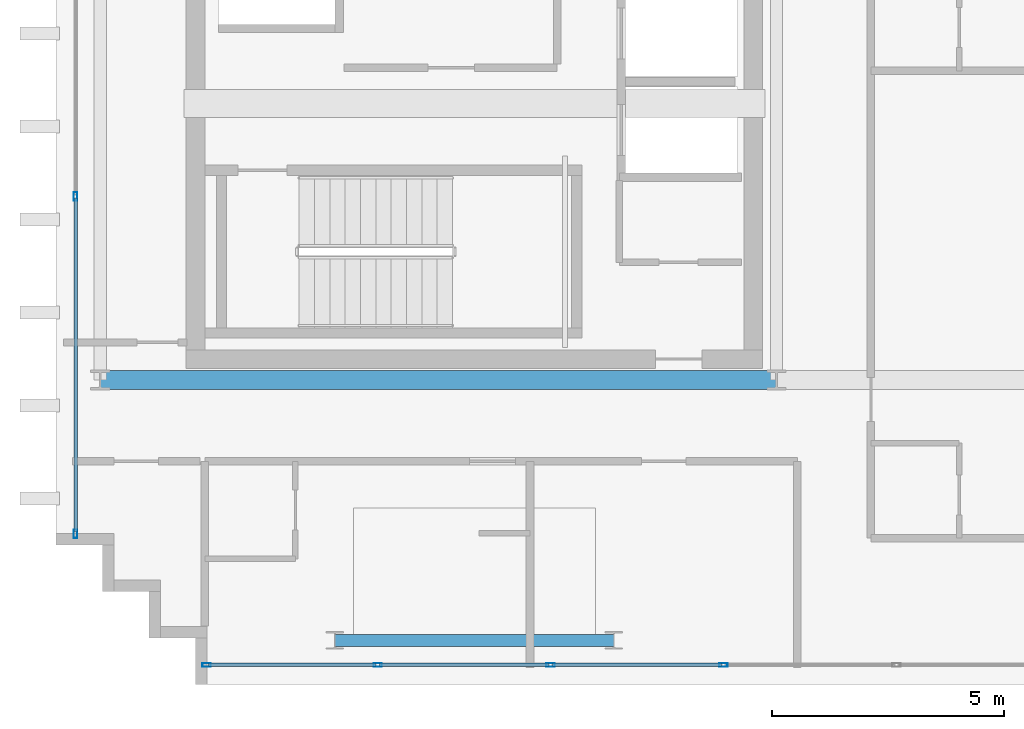
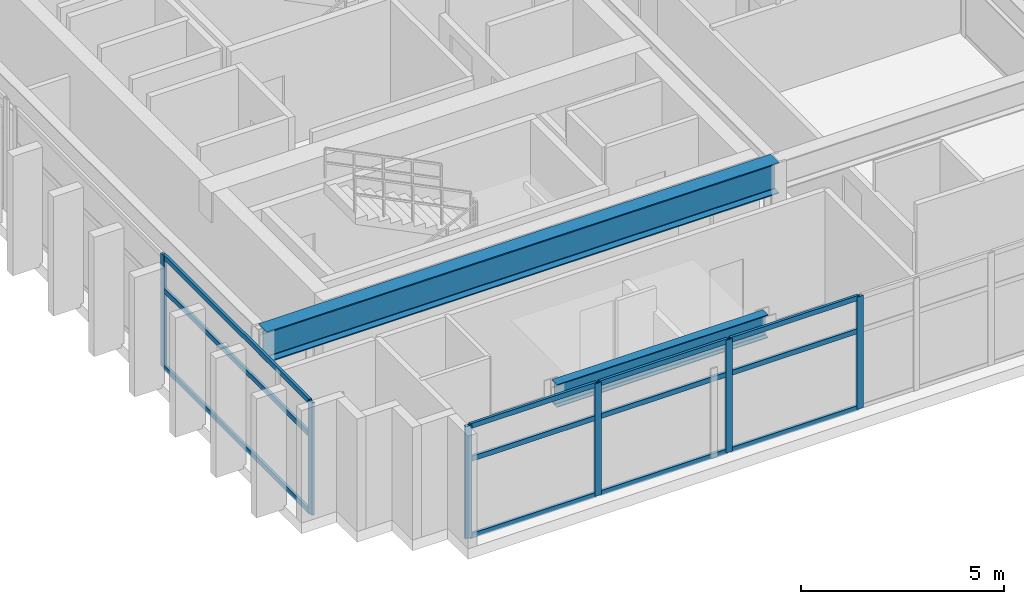
# One storey, part 3 of 17: 18 members, 2 beams, 2 elements without a shape of their own.
"""IFC4 building model written with IfcOpenShell, lengths in metres."""

from ifc_helpers import new_model, si_unit, direction, frame, origin, origin_2d, place, context, subcontext, project, spatial, hollow_rectangle, i_section, extrude, source, transform, mapped, material, layer, layer_set, material_profile, profile_set, type_object, element, aggregate, save


model = new_model("IFC4")

# Units and contexts
model_context = context("Model", 3, precision=1e-05, world=origin(), true_north=direction((0.0, 1.0)))
body_context = subcontext(model_context, "Body", "Model", "MODEL_VIEW")
ifc_project = project(units=[si_unit("LENGTHUNIT", "METRE"), si_unit("AREAUNIT", "SQUARE_METRE"), si_unit("VOLUMEUNIT", "CUBIC_METRE"), si_unit("PLANEANGLEUNIT", "RADIAN"), si_unit("MASSUNIT", "GRAM", prefix="KILO")], contexts=[model_context])

# Site, building, storey
site_placement = place(None, origin())
site = spatial("IfcSite", under=ifc_project, at=site_placement, CompositionType="ELEMENT")
building_placement = place(site_placement, origin())
building = spatial("IfcBuilding", under=site, at=building_placement, Name="Ocotamira Hotel", CompositionType="ELEMENT")
storey_placement = place(building_placement, frame((0.0, 0.0, 272.39990234375)))
storey = spatial("IfcBuildingStorey", under=building, at=storey_placement, Name="L69", CompositionType="ELEMENT", Elevation=272.39990234375)

# Beams
ifc_material_1 = material(Name="Steel ASTM A992 Grade 50", Category="steel")
ifc_material_profile_1 = material_profile(ifc_material_1, i_section(OverallWidth=0.41796875, OverallDepth=0.927001953125, WebThickness=0.019287109375, FlangeThickness=0.031982421875, FilletRadius=0.02392578125, at=origin_2d()), Name="W36X231")
ifc_profile_set_1 = profile_set([ifc_material_profile_1], Name="Steel ASTM A992 Grade 50")
beam_type_1 = type_object("IfcBeamType", Name="BM-GIRD-W36X231", PredefinedType="BEAM", material=ifc_profile_set_1)
shared_shape_1 = source(origin(), body_context, "Body", "SweptSolid", [
    extrude(i_section(OverallWidth=0.41796875, OverallDepth=0.927001953125, WebThickness=0.019287109375, FlangeThickness=0.031982421875, FilletRadius=0.02392578125, at=origin_2d()), origin(), (0.0, 0.0, 1.0), 14.550048828125),
])
beam_1_placement = place(storey_placement, frame((8.949951171875, 14.550048828125, 2.91650390625), z_axis=(1.0, 0.0, 0.0), x_axis=(0.0, 1.0, 0.0)))
element("IfcBeam", 1, at=beam_1_placement, inside=storey, type_object=beam_type_1, Name="L69 Girder Y14.55 X8.95-23.5", PredefinedType="BEAM", context=body_context, shape_type="MappedRepresentation", body=[
    mapped(shared_shape_1, transform((0.0, 0.0, 0.0), scale=1.0)),
])
ifc_material_profile_2 = material_profile(ifc_material_1, i_section(OverallWidth=0.256103515625, OverallDepth=0.693115234375, WebThickness=0.014404296875, FlangeThickness=0.023681640625, FilletRadius=0.01611328125, at=origin_2d()), Name="W27X114")
ifc_profile_set_2 = profile_set([ifc_material_profile_2], Name="Steel ASTM A992 Grade 50")
beam_type_2 = type_object("IfcBeamType", Name="BM-PRIM-W27X114", PredefinedType="BEAM", material=ifc_profile_set_2)
shared_shape_2 = source(origin(), body_context, "Body", "SweptSolid", [
    extrude(i_section(OverallWidth=0.256103515625, OverallDepth=0.693115234375, WebThickness=0.014404296875, FlangeThickness=0.023681640625, FilletRadius=0.01611328125, at=origin_2d()), origin(), (0.0, 0.0, 1.0), 6.0),
])
beam_2_placement = place(storey_placement, frame((14.0, 8.949951171875, 3.03369140625), z_axis=(1.0, 0.0, 0.0), x_axis=(0.0, 1.0, 0.0)))
element("IfcBeam", 2, at=beam_2_placement, inside=storey, type_object=beam_type_2, Name="L69 Girder Y8.95 X14-20", PredefinedType="BEAM", context=body_context, shape_type="MappedRepresentation", body=[
    mapped(shared_shape_2, transform((0.0, 0.0, 0.0), scale=1.0)),
])

# Curtain wall, members
ifc_material_2 = material(Name="Anodised pale-metal aluminium and solar glass", Category="aluminium")
ifc_layer = layer(ifc_material_2, 0.2099609375)
ifc_layer_set = layer_set([ifc_layer], Name="Anodised pale-metal aluminium and solar glass")
curtain_wall_type = type_object("IfcCurtainWallType", Name="CW-SYS7-PEAK", PredefinedType="NOTDEFINED", material=ifc_layer_set)
curtain_wall_1_placement = place(storey_placement, origin())
curtain_wall_1 = element("IfcCurtainWall", 3, at=curtain_wall_1_placement, inside=storey, type_object=curtain_wall_type, Name="L69 Curtain Wall CW-7 CW-L69-S1", PredefinedType="NOTDEFINED")
ifc_material_3 = material(Name="Anodised pale-metal aluminium 6063-T6", Category="aluminium")
ifc_material_profile_3 = material_profile(ifc_material_3, hollow_rectangle(XDim=0.080078125, YDim=0.179931640625, WallThickness=0.006103515625, at=origin_2d()), Name="HSS180X80X6")
ifc_profile_set_3 = profile_set([ifc_material_profile_3], Name="Anodised pale-metal aluminium 6063-T6")
member_type_1 = type_object("IfcMemberType", Name="CWM-180X75", PredefinedType="MULLION", material=ifc_profile_set_3)
shared_shape_3 = source(origin(), body_context, "Body", "SweptSolid", [
    extrude(hollow_rectangle(XDim=0.080078125, YDim=0.179931640625, WallThickness=0.006103515625, at=origin_2d()), origin(), (0.0, 0.0, 1.0), 3.380126953125),
])
member_1_placement = place(storey_placement, frame((11.239990234375, 8.419921875, 0.0), z_axis=(0.0, 0.0, 1.0), x_axis=(0.0, 1.0, 0.0)))
member_1 = element("IfcMember", 4, at=member_1_placement, type_object=member_type_1, Name="CW-7 mullion 1", PredefinedType="MULLION", context=body_context, shape_type="MappedRepresentation", body=[
    mapped(shared_shape_3, transform((0.0, 0.0, 0.0), scale=1.0)),
])
member_2_placement = place(storey_placement, frame((14.919921875, 8.419921875, 0.0), z_axis=(0.0, 0.0, 1.0), x_axis=(0.0, 1.0, 0.0)))
member_2 = element("IfcMember", 5, at=member_2_placement, type_object=member_type_1, Name="CW-7 mullion 2", PredefinedType="MULLION", context=body_context, shape_type="MappedRepresentation", body=[
    mapped(shared_shape_3, transform((0.0, 0.0, 0.0), scale=1.0)),
])
member_3_placement = place(storey_placement, frame((18.639892578125, 8.419921875, 0.0), z_axis=(0.0, 0.0, 1.0), x_axis=(0.0, 1.0, 0.0)))
member_3 = element("IfcMember", 6, at=member_3_placement, type_object=member_type_1, Name="CW-7 mullion 3", PredefinedType="MULLION", context=body_context, shape_type="MappedRepresentation", body=[
    mapped(shared_shape_3, transform((0.0, 0.0, 0.0), scale=1.0)),
])
member_4_placement = place(storey_placement, frame((22.360107421875, 8.419921875, 0.0), z_axis=(0.0, 0.0, 1.0), x_axis=(0.0, 1.0, 0.0)))
member_4 = element("IfcMember", 7, at=member_4_placement, type_object=member_type_1, Name="CW-7 mullion 4", PredefinedType="MULLION", context=body_context, shape_type="MappedRepresentation", body=[
    mapped(shared_shape_3, transform((0.0, 0.0, 0.0), scale=1.0)),
])

curtain_wall_2_placement = place(storey_placement, origin())
curtain_wall_2 = element("IfcCurtainWall", 8, at=curtain_wall_2_placement, inside=storey, type_object=curtain_wall_type, Name="L69 Curtain Wall CW-7 CW-L69-W1", PredefinedType="NOTDEFINED")
member_5_placement = place(storey_placement, frame((8.419921875, 11.239990234375, 0.0), z_axis=(0.0, 0.0, 1.0), x_axis=(-1.0, 0.0, 0.0)))
member_5 = element("IfcMember", 9, at=member_5_placement, type_object=member_type_1, Name="CW-7 mullion 1", PredefinedType="MULLION", context=body_context, shape_type="MappedRepresentation", body=[
    mapped(shared_shape_3, transform((0.0, 0.0, 0.0), scale=1.0)),
])
member_6_placement = place(storey_placement, frame((8.419921875, 18.5, 0.0), z_axis=(0.0, 0.0, 1.0), x_axis=(-1.0, 0.0, 0.0)))
member_6 = element("IfcMember", 10, at=member_6_placement, type_object=member_type_1, Name="CW-7 mullion 2", PredefinedType="MULLION", context=body_context, shape_type="MappedRepresentation", body=[
    mapped(shared_shape_3, transform((0.0, 0.0, 0.0), scale=1.0)),
])
ifc_material_profile_4 = material_profile(ifc_material_3, hollow_rectangle(XDim=0.074951171875, YDim=0.14990234375, WallThickness=0.006103515625, at=origin_2d()), Name="HSS150X75X6")
ifc_profile_set_4 = profile_set([ifc_material_profile_4], Name="Anodised pale-metal aluminium 6063-T6")
member_type_2 = type_object("IfcMemberType", Name="CWT-150X75", PredefinedType="USERDEFINED", material=ifc_profile_set_4)
shared_shape_4 = source(origin(), body_context, "Body", "SweptSolid", [
    extrude(hollow_rectangle(XDim=0.074951171875, YDim=0.14990234375, WallThickness=0.006103515625, at=origin_2d()), origin(), (0.0, 0.0, 1.0), 7.179931640625),
])
member_7_placement = place(storey_placement, frame((8.419921875, 11.280029296875, 0.03759765625), z_axis=(0.0, 1.0, 0.0), x_axis=(-1.0, 0.0, 0.0)))
member_7 = element("IfcMember", 11, at=member_7_placement, type_object=member_type_2, Name="CW-7 transom 1.1", ObjectType="TRANSOM", PredefinedType="USERDEFINED", context=body_context, shape_type="MappedRepresentation", body=[
    mapped(shared_shape_4, transform((0.0, 0.0, 0.0), scale=1.0)),
])
member_8_placement = place(storey_placement, frame((8.419921875, 11.280029296875, 2.35009765625), z_axis=(0.0, 1.0, 0.0), x_axis=(-1.0, 0.0, 0.0)))
member_8 = element("IfcMember", 12, at=member_8_placement, type_object=member_type_2, Name="CW-7 transom 1.2", ObjectType="TRANSOM", PredefinedType="USERDEFINED", context=body_context, shape_type="MappedRepresentation", body=[
    mapped(shared_shape_4, transform((0.0, 0.0, 0.0), scale=1.0)),
])
member_9_placement = place(storey_placement, frame((8.419921875, 11.280029296875, 3.342529296875), z_axis=(0.0, 1.0, 0.0), x_axis=(-1.0, 0.0, 0.0)))
member_9 = element("IfcMember", 13, at=member_9_placement, type_object=member_type_2, Name="CW-7 transom 1.3", ObjectType="TRANSOM", PredefinedType="USERDEFINED", context=body_context, shape_type="MappedRepresentation", body=[
    mapped(shared_shape_4, transform((0.0, 0.0, 0.0), scale=1.0)),
])
aggregate(curtain_wall_2, [member_5, member_6, member_7, member_8, member_9])

# Member
shared_shape_5 = source(origin(), body_context, "Body", "SweptSolid", [
    extrude(hollow_rectangle(XDim=0.074951171875, YDim=0.14990234375, WallThickness=0.006103515625, at=origin_2d()), origin(), (0.0, 0.0, 1.0), 3.599853515625),
])
member_10_placement = place(storey_placement, frame((11.280029296875, 8.419921875, 0.03759765625), z_axis=(1.0, 0.0, 0.0), x_axis=(0.0, 1.0, 0.0)))
member_10 = element("IfcMember", 14, at=member_10_placement, type_object=member_type_2, Name="CW-7 transom 1.1", ObjectType="TRANSOM", PredefinedType="USERDEFINED", context=body_context, shape_type="MappedRepresentation", body=[
    mapped(shared_shape_5, transform((0.0, 0.0, 0.0), scale=1.0)),
])

member_11_placement = place(storey_placement, frame((11.280029296875, 8.419921875, 2.35009765625), z_axis=(1.0, 0.0, 0.0), x_axis=(0.0, 1.0, 0.0)))
member_11 = element("IfcMember", 15, at=member_11_placement, type_object=member_type_2, Name="CW-7 transom 1.2", ObjectType="TRANSOM", PredefinedType="USERDEFINED", context=body_context, shape_type="MappedRepresentation", body=[
    mapped(shared_shape_5, transform((0.0, 0.0, 0.0), scale=1.0)),
])

member_12_placement = place(storey_placement, frame((11.280029296875, 8.419921875, 3.342529296875), z_axis=(1.0, 0.0, 0.0), x_axis=(0.0, 1.0, 0.0)))
member_12 = element("IfcMember", 16, at=member_12_placement, type_object=member_type_2, Name="CW-7 transom 1.3", ObjectType="TRANSOM", PredefinedType="USERDEFINED", context=body_context, shape_type="MappedRepresentation", body=[
    mapped(shared_shape_5, transform((0.0, 0.0, 0.0), scale=1.0)),
])

shared_shape_6 = source(origin(), body_context, "Body", "SweptSolid", [
    extrude(hollow_rectangle(XDim=0.074951171875, YDim=0.14990234375, WallThickness=0.006103515625, at=origin_2d()), origin(), (0.0, 0.0, 1.0), 3.64013671875),
])
member_13_placement = place(storey_placement, frame((14.9599609375, 8.419921875, 0.03759765625), z_axis=(1.0, 0.0, 0.0), x_axis=(0.0, 1.0, 0.0)))
member_13 = element("IfcMember", 17, at=member_13_placement, type_object=member_type_2, Name="CW-7 transom 2.1", ObjectType="TRANSOM", PredefinedType="USERDEFINED", context=body_context, shape_type="MappedRepresentation", body=[
    mapped(shared_shape_6, transform((0.0, 0.0, 0.0), scale=1.0)),
])

member_14_placement = place(storey_placement, frame((14.9599609375, 8.419921875, 2.35009765625), z_axis=(1.0, 0.0, 0.0), x_axis=(0.0, 1.0, 0.0)))
member_14 = element("IfcMember", 18, at=member_14_placement, type_object=member_type_2, Name="CW-7 transom 2.2", ObjectType="TRANSOM", PredefinedType="USERDEFINED", context=body_context, shape_type="MappedRepresentation", body=[
    mapped(shared_shape_6, transform((0.0, 0.0, 0.0), scale=1.0)),
])

member_15_placement = place(storey_placement, frame((14.9599609375, 8.419921875, 3.342529296875), z_axis=(1.0, 0.0, 0.0), x_axis=(0.0, 1.0, 0.0)))
member_15 = element("IfcMember", 19, at=member_15_placement, type_object=member_type_2, Name="CW-7 transom 2.3", ObjectType="TRANSOM", PredefinedType="USERDEFINED", context=body_context, shape_type="MappedRepresentation", body=[
    mapped(shared_shape_6, transform((0.0, 0.0, 0.0), scale=1.0)),
])

member_16_placement = place(storey_placement, frame((18.679931640625, 8.419921875, 0.03759765625), z_axis=(1.0, 0.0, 0.0), x_axis=(0.0, 1.0, 0.0)))
member_16 = element("IfcMember", 20, at=member_16_placement, type_object=member_type_2, Name="CW-7 transom 3.1", ObjectType="TRANSOM", PredefinedType="USERDEFINED", context=body_context, shape_type="MappedRepresentation", body=[
    mapped(shared_shape_6, transform((0.0, 0.0, 0.0), scale=1.0)),
])

member_17_placement = place(storey_placement, frame((18.679931640625, 8.419921875, 2.35009765625), z_axis=(1.0, 0.0, 0.0), x_axis=(0.0, 1.0, 0.0)))
member_17 = element("IfcMember", 21, at=member_17_placement, type_object=member_type_2, Name="CW-7 transom 3.2", ObjectType="TRANSOM", PredefinedType="USERDEFINED", context=body_context, shape_type="MappedRepresentation", body=[
    mapped(shared_shape_6, transform((0.0, 0.0, 0.0), scale=1.0)),
])

member_18_placement = place(storey_placement, frame((18.679931640625, 8.419921875, 3.342529296875), z_axis=(1.0, 0.0, 0.0), x_axis=(0.0, 1.0, 0.0)))
member_18 = element("IfcMember", 22, at=member_18_placement, type_object=member_type_2, Name="CW-7 transom 3.3", ObjectType="TRANSOM", PredefinedType="USERDEFINED", context=body_context, shape_type="MappedRepresentation", body=[
    mapped(shared_shape_6, transform((0.0, 0.0, 0.0), scale=1.0)),
])

aggregate(curtain_wall_1, [member_1, member_2, member_3, member_4, member_10, member_11, member_12, member_13, member_14, member_15, member_16, member_17, member_18])

save(model, "model.ifc")
